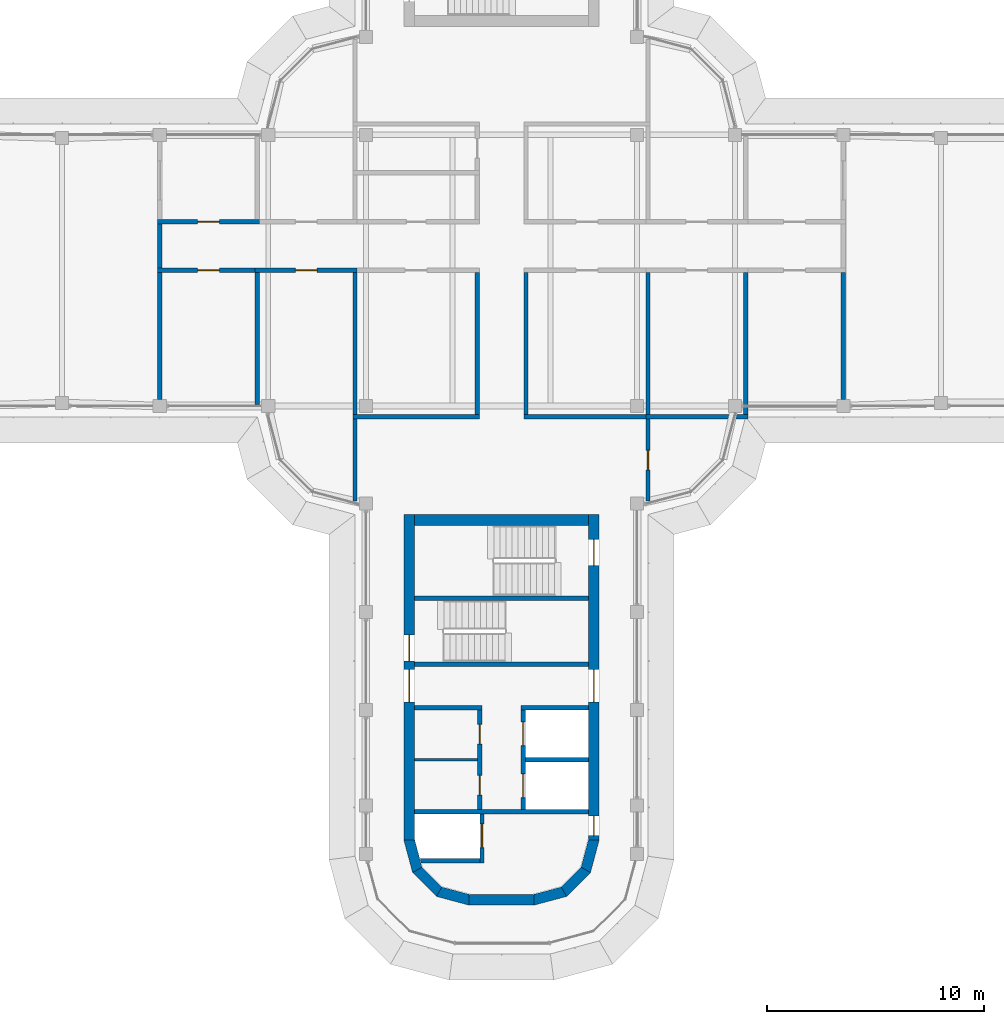
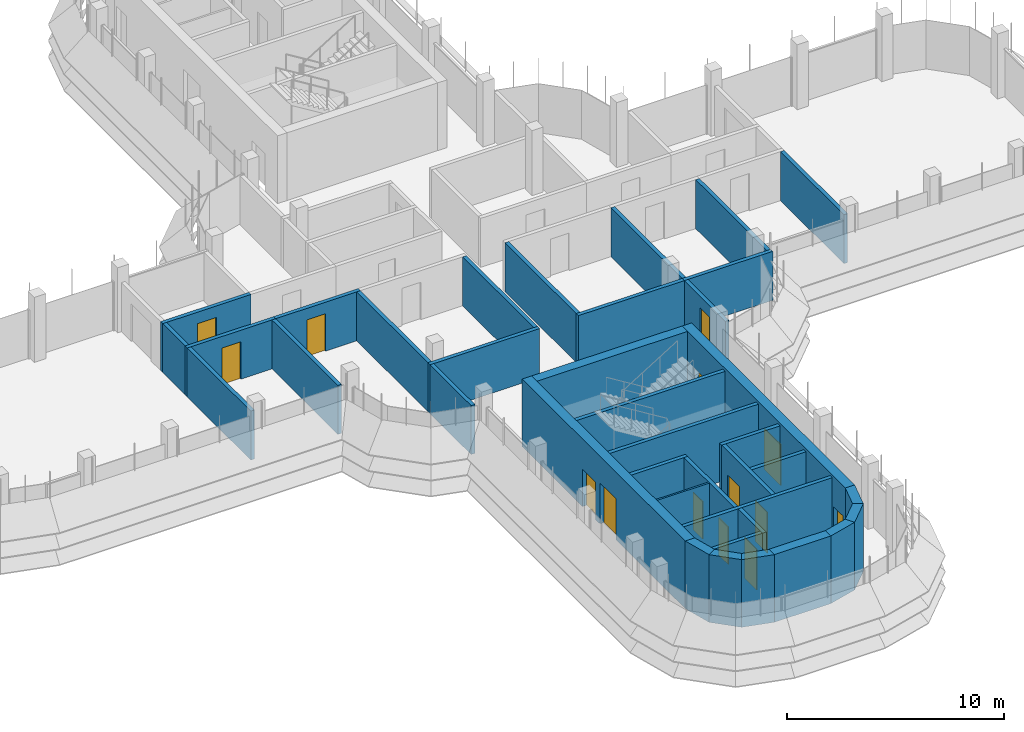
# One storey, part 13 of 19: 38 walls, 14 doors, 14 openings.
"""IFC4 building model written with IfcOpenShell, lengths in metres."""

from ifc_helpers import new_model, si_unit, direction, frame, frame_2d, origin, place, context, subcontext, project, spatial, polyline, rectangle, outline, extrude, material, layer, layer_set, type_object, element, fill, save


model = new_model("IFC4")

# Units and contexts
model_context = context("Model", 3, precision=1e-05, world=origin(), true_north=direction((0.0, 1.0)))
body_context = subcontext(model_context, "Body", "Model", "MODEL_VIEW")
ifc_project = project(units=[si_unit("LENGTHUNIT", "METRE"), si_unit("AREAUNIT", "SQUARE_METRE"), si_unit("VOLUMEUNIT", "CUBIC_METRE"), si_unit("PLANEANGLEUNIT", "RADIAN"), si_unit("MASSUNIT", "GRAM", prefix="KILO")], contexts=[model_context])

# Site, building, storey
site_placement = place(None, origin())
site = spatial("IfcSite", under=ifc_project, at=site_placement, CompositionType="ELEMENT")
building_placement = place(site_placement, origin())
building = spatial("IfcBuilding", under=site, at=building_placement, Name="Zarbagh Exchange Tower", CompositionType="ELEMENT")
storey_placement = place(building_placement, frame((0.0, 0.0, 253.60009765625)))
storey = spatial("IfcBuildingStorey", under=building, at=storey_placement, Name="L62", CompositionType="ELEMENT", Elevation=253.60009765625)

# Wall
ifc_material_1 = material(Name="Dense blockwork", Category="masonry")
ifc_layer_1 = layer(ifc_material_1, 0.10009765625)
ifc_layer_set_1 = layer_set([ifc_layer_1], Name="Core partition 100 mm blockwork")
wall_type_1 = type_object("IfcWallType", Name="Core partition 100 mm blockwork", PredefinedType="PARTITIONING", material=ifc_layer_set_1)
wall_1_placement = place(storey_placement, frame((-1.10009765625, -22.550048828125, 0.0), z_axis=(0.0, 0.0, 1.0), x_axis=(-1.0, 0.0, 0.0)))
element("IfcWall", 1, at=wall_1_placement, inside=storey, type_object=wall_type_1, Name="South core partition wall CUT-E-580", PredefinedType="PARTITIONING", context=body_context, shape_type="SweptSolid", body=[
    extrude(rectangle(XDim=2.89990234375, YDim=0.10009765625, at=frame_2d((1.449951171875, 0.0))), origin(), (0.0, 0.0, 1.0), 3.64990234375),
])

# Wall, opening, door
ifc_material_2 = material(Name="Fire-rated plasterboard partition")
ifc_layer_2 = layer(ifc_material_2, 0.199951171875)
ifc_layer_set_2 = layer_set([ifc_layer_2], Name="RATED PARTITION 200")
wall_type_2 = type_object("IfcWallType", Name="RATED PARTITION 200", PredefinedType="PARTITIONING", material=ifc_layer_set_2)
wall_2_placement = place(storey_placement, frame((-6.64990234375, 0.0, 0.0), z_axis=(0.0, 0.0, 1.0), x_axis=(-1.0, 0.0, 0.0)))
wall_2 = element("IfcWall", 2, at=wall_2_placement, inside=storey, type_object=wall_type_2, Name="Partition W-2708", PredefinedType="PARTITIONING", context=body_context, shape_type="SweptSolid", body=[
    extrude(rectangle(XDim=4.7001953125, YDim=0.199951171875, at=frame_2d((2.35009765625, 0.0))), origin(), (0.0, 0.0, 1.0), 2.75),
])
opening_1_placement = place(wall_2_placement, frame((1.85009765625, 0.0, 0.0)))
opening_1 = element("IfcOpeningElement", 3, at=opening_1_placement, cuts=wall_2, Name="Opening D-2713", PredefinedType="OPENING", context=body_context, shape_type="SweptSolid", body=[
    extrude(rectangle(XDim=1.0, YDim=2.10009765625, at=frame_2d((0.5, 1.050048828125))), frame((0.0, 0.10986328125, 0.0), z_axis=(0.0, -1.0, 0.0), x_axis=(1.0, 0.0, 0.0)), (0.0, 0.0, 1.0), 0.219970703125),
])
ifc_material_3 = material(Name="Steel door set", Category="steel")
door_type_1 = type_object("IfcDoorType", Name="FIRE DOOR 1000 X 2100 FD30S", OperationType="NOTDEFINED", PredefinedType="DOOR", material=ifc_material_3)
door_1_placement = place(opening_1_placement, origin())
door_1 = element("IfcDoor", 4, at=door_1_placement, inside=storey, type_object=door_type_1, Name="Door D-2713", OperationType="SINGLE_SWING_RIGHT", OverallHeight=2.10009765625, OverallWidth=1.0, PredefinedType="DOOR", context=body_context, shape_type="SweptSolid", body=[
    extrude(rectangle(XDim=1.0, YDim=2.10009765625, at=frame_2d((0.5, 1.050048828125))), frame((0.0, 0.02490234375, 0.0), z_axis=(0.0, -1.0, 0.0), x_axis=(1.0, 0.0, 0.0)), (0.0, 0.0, 1.0), 0.050048828125),
])
fill(opening_1, door_1)

wall_3_placement = place(storey_placement, frame((-15.85009765625, 2.25, 0.0), z_axis=(0.0, 0.0, 1.0), x_axis=(1.0, 0.0, 0.0)))
wall_3 = element("IfcWall", 5, at=wall_3_placement, inside=storey, type_object=wall_type_2, Name="Partition W-2712", PredefinedType="PARTITIONING", context=body_context, shape_type="SweptSolid", body=[
    extrude(rectangle(XDim=4.7001953125, YDim=0.199951171875, at=frame_2d((2.35009765625, 0.0))), origin(), (0.0, 0.0, 1.0), 2.75),
])
opening_2_placement = place(wall_3_placement, frame((1.85009765625, 0.0, 0.0)))
opening_2 = element("IfcOpeningElement", 6, at=opening_2_placement, cuts=wall_3, Name="Opening D-2715", PredefinedType="OPENING", context=body_context, shape_type="SweptSolid", body=[
    extrude(rectangle(XDim=1.0, YDim=2.10009765625, at=frame_2d((0.5, 1.050048828125))), frame((0.0, 0.10986328125, 0.0), z_axis=(0.0, -1.0, 0.0), x_axis=(1.0, 0.0, 0.0)), (0.0, 0.0, 1.0), 0.219970703125),
])
door_2_placement = place(opening_2_placement, origin())
door_2 = element("IfcDoor", 7, at=door_2_placement, inside=storey, type_object=door_type_1, Name="Door D-2715", OperationType="SINGLE_SWING_RIGHT", OverallHeight=2.10009765625, OverallWidth=1.0, PredefinedType="DOOR", context=body_context, shape_type="SweptSolid", body=[
    extrude(rectangle(XDim=1.0, YDim=2.10009765625, at=frame_2d((0.5, 1.050048828125))), frame((0.0, 0.02490234375, 0.0), z_axis=(0.0, -1.0, 0.0), x_axis=(1.0, 0.0, 0.0)), (0.0, 0.0, 1.0), 0.050048828125),
])
fill(opening_2, door_2)

wall_4_placement = place(storey_placement, frame((-11.14990234375, 0.0, 0.0), z_axis=(0.0, 0.0, 1.0), x_axis=(-1.0, 0.0, 0.0)))
wall_4 = element("IfcWall", 8, at=wall_4_placement, inside=storey, type_object=wall_type_2, Name="Partition W-2713", PredefinedType="PARTITIONING", context=body_context, shape_type="SweptSolid", body=[
    extrude(rectangle(XDim=4.7001953125, YDim=0.199951171875, at=frame_2d((2.35009765625, 0.0))), origin(), (0.0, 0.0, 1.0), 2.75),
])
opening_3_placement = place(wall_4_placement, frame((1.85009765625, 0.0, 0.0)))
opening_3 = element("IfcOpeningElement", 9, at=opening_3_placement, cuts=wall_4, Name="Opening D-2716", PredefinedType="OPENING", context=body_context, shape_type="SweptSolid", body=[
    extrude(rectangle(XDim=1.0, YDim=2.10009765625, at=frame_2d((0.5, 1.050048828125))), frame((0.0, 0.10986328125, 0.0), z_axis=(0.0, -1.0, 0.0), x_axis=(1.0, 0.0, 0.0)), (0.0, 0.0, 1.0), 0.219970703125),
])
door_3_placement = place(opening_3_placement, origin())
door_3 = element("IfcDoor", 10, at=door_3_placement, inside=storey, type_object=door_type_1, Name="Door D-2716", OperationType="SINGLE_SWING_RIGHT", OverallHeight=2.10009765625, OverallWidth=1.0, PredefinedType="DOOR", context=body_context, shape_type="SweptSolid", body=[
    extrude(rectangle(XDim=1.0, YDim=2.10009765625, at=frame_2d((0.5, 1.050048828125))), frame((0.0, 0.02490234375, 0.0), z_axis=(0.0, -1.0, 0.0), x_axis=(1.0, 0.0, 0.0)), (0.0, 0.0, 1.0), 0.050048828125),
])
fill(opening_3, door_3)

# Walls
wall_5_placement = place(storey_placement, frame((-15.75, 0.10009765625, 0.0), z_axis=(0.0, 0.0, 1.0), x_axis=(0.0, 1.0, 0.0)))
element("IfcWall", 11, at=wall_5_placement, inside=storey, type_object=wall_type_2, Name="Partition W-2714", PredefinedType="PARTITIONING", context=body_context, shape_type="SweptSolid", body=[
    extrude(rectangle(XDim=2.0498046875, YDim=0.199951171875, at=frame_2d((1.02490234375, 0.0))), origin(), (0.0, 0.0, 1.0), 2.75),
])
for number, where, z_axis, x_axis, name in (
    (12, (1.125, -6.64990234375, 0.0), (0.0, 0.0, 1.0), (0.0, 1.0, 0.0), "Partition W-2718"),
    (13, (-1.125, -6.64990234375, 0.0), (0.0, 0.0, 1.0), (0.0, 1.0, 0.0), "Partition W-2719"),
):
    element("IfcWall", number, at=place(storey_placement, frame(where, z_axis=z_axis, x_axis=x_axis)), inside=storey, type_object=wall_type_2, Name=name, PredefinedType="PARTITIONING", context=body_context, shape_type="SweptSolid", body=[
        extrude(rectangle(XDim=6.5498046875, YDim=0.199951171875, at=frame_2d((3.27490234375, 0.0))), origin(), (0.0, 0.0, 1.0), 2.75),
    ])
wall_6_placement = place(storey_placement, frame((1.02490234375, -6.75, 0.0), z_axis=(0.0, 0.0, 1.0), x_axis=(1.0, 0.0, 0.0)))
element("IfcWall", 14, at=wall_6_placement, inside=storey, type_object=wall_type_2, Name="Partition W-2724", PredefinedType="PARTITIONING", context=body_context, shape_type="SweptSolid", body=[
    extrude(rectangle(XDim=5.8251953125, YDim=0.199951171875, at=frame_2d((2.91259765625, 0.0))), origin(), (0.0, 0.0, 1.0), 2.75),
])

# Wall, opening, door
wall_7_placement = place(storey_placement, frame((6.75, -6.85009765625, 0.0), z_axis=(0.0, 0.0, 1.0), x_axis=(0.0, -1.0, 0.0)))
wall_7 = element("IfcWall", 15, at=wall_7_placement, inside=storey, type_object=wall_type_2, Name="Partition W-2725", PredefinedType="PARTITIONING", context=body_context, shape_type="SweptSolid", body=[
    extrude(rectangle(XDim=3.77978515625, YDim=0.199951171875, at=frame_2d((1.889892578125, 0.0))), origin(), (0.0, 0.0, 1.0), 2.75),
])
opening_4_placement = place(wall_7_placement, frame((1.43994140625, 0.0, 0.0)))
opening_4 = element("IfcOpeningElement", 16, at=opening_4_placement, cuts=wall_7, Name="Opening D-2711", PredefinedType="OPENING", context=body_context, shape_type="SweptSolid", body=[
    extrude(rectangle(XDim=0.89990234375, YDim=2.10009765625, at=frame_2d((0.449951171875, 1.050048828125))), frame((0.0, 0.10986328125, 0.0), z_axis=(0.0, -1.0, 0.0), x_axis=(1.0, 0.0, 0.0)), (0.0, 0.0, 1.0), 0.219970703125),
])
ifc_material_4 = material(Name="Timber door leaf", Category="wood")
door_type_2 = type_object("IfcDoorType", Name="DOOR 900 X 2100", OperationType="NOTDEFINED", PredefinedType="DOOR", material=ifc_material_4)
door_4_placement = place(opening_4_placement, origin())
door_4 = element("IfcDoor", 17, at=door_4_placement, inside=storey, type_object=door_type_2, Name="Door D-2711", OperationType="SINGLE_SWING_LEFT", OverallHeight=2.10009765625, OverallWidth=0.89990234375, PredefinedType="DOOR", context=body_context, shape_type="SweptSolid", body=[
    extrude(rectangle(XDim=0.89990234375, YDim=2.10009765625, at=frame_2d((0.449951171875, 1.050048828125))), frame((0.0, 0.02490234375, 0.0), z_axis=(0.0, -1.0, 0.0), x_axis=(1.0, 0.0, 0.0)), (0.0, 0.0, 1.0), 0.050048828125),
])
fill(opening_4, door_4)

# Walls
wall_8_placement = place(storey_placement, frame((-6.85009765625, -6.75, 0.0), z_axis=(0.0, 0.0, 1.0), x_axis=(1.0, 0.0, 0.0)))
element("IfcWall", 18, at=wall_8_placement, inside=storey, type_object=wall_type_2, Name="Partition W-2726", PredefinedType="PARTITIONING", context=body_context, shape_type="SweptSolid", body=[
    extrude(rectangle(XDim=5.8251953125, YDim=0.199951171875, at=frame_2d((2.91259765625, 0.0))), origin(), (0.0, 0.0, 1.0), 2.75),
])
wall_9_placement = place(storey_placement, frame((-6.75, -10.6298828125, 0.0), z_axis=(0.0, 0.0, 1.0), x_axis=(0.0, 1.0, 0.0)))
element("IfcWall", 19, at=wall_9_placement, inside=storey, type_object=wall_type_2, Name="Partition W-2727", PredefinedType="PARTITIONING", context=body_context, shape_type="SweptSolid", body=[
    extrude(rectangle(XDim=3.77978515625, YDim=0.199951171875, at=frame_2d((1.889892578125, 0.0))), origin(), (0.0, 0.0, 1.0), 2.75),
])
wall_10_placement = place(storey_placement, frame((6.75, -6.64990234375, 0.0), z_axis=(0.0, 0.0, 1.0), x_axis=(0.0, 1.0, 0.0)))
element("IfcWall", 20, at=wall_10_placement, inside=storey, type_object=wall_type_2, Name="Partition W-2734", PredefinedType="PARTITIONING", context=body_context, shape_type="SweptSolid", body=[
    extrude(rectangle(XDim=6.5498046875, YDim=0.199951171875, at=frame_2d((3.27490234375, 0.0))), origin(), (0.0, 0.0, 1.0), 2.75),
])
wall_11_placement = place(storey_placement, frame((6.64990234375, -6.75, 0.0), z_axis=(0.0, 0.0, 1.0), x_axis=(1.0, 0.0, 0.0)))
element("IfcWall", 21, at=wall_11_placement, inside=storey, type_object=wall_type_2, Name="Partition W-2735", PredefinedType="PARTITIONING", context=body_context, shape_type="SweptSolid", body=[
    extrude(rectangle(XDim=4.7001953125, YDim=0.199951171875, at=frame_2d((2.35009765625, 0.0))), origin(), (0.0, 0.0, 1.0), 2.75),
])
for number, where, z_axis, x_axis, name in (
    (22, (11.25, -6.64990234375, 0.0), (0.0, 0.0, 1.0), (0.0, 1.0, 0.0), "Partition W-2736"),
    (23, (-6.75, -6.64990234375, 0.0), (0.0, 0.0, 1.0), (0.0, 1.0, 0.0), "Partition W-2737"),
):
    element("IfcWall", number, at=place(storey_placement, frame(where, z_axis=z_axis, x_axis=x_axis)), inside=storey, type_object=wall_type_2, Name=name, PredefinedType="PARTITIONING", context=body_context, shape_type="SweptSolid", body=[
        extrude(rectangle(XDim=6.5498046875, YDim=0.199951171875, at=frame_2d((3.27490234375, 0.0))), origin(), (0.0, 0.0, 1.0), 2.75),
    ])
wall_12_placement = place(storey_placement, frame((-11.25, -6.169921875, 0.0), z_axis=(0.0, 0.0, 1.0), x_axis=(0.0, 1.0, 0.0)))
element("IfcWall", 24, at=wall_12_placement, inside=storey, type_object=wall_type_2, Name="Partition W-2738", PredefinedType="PARTITIONING", context=body_context, shape_type="SweptSolid", body=[
    extrude(rectangle(XDim=6.06982421875, YDim=0.199951171875, at=frame_2d((3.034912109375, 0.0))), origin(), (0.0, 0.0, 1.0), 2.75),
])
for number, where, z_axis, x_axis, name in (
    (25, (15.75, -5.949951171875, 0.0), (0.0, 0.0, 1.0), (0.0, 1.0, 0.0), "Partition W-2740"),
    (26, (-15.75, -5.949951171875, 0.0), (0.0, 0.0, 1.0), (0.0, 1.0, 0.0), "Partition W-2742"),
):
    element("IfcWall", number, at=place(storey_placement, frame(where, z_axis=z_axis, x_axis=x_axis)), inside=storey, type_object=wall_type_2, Name=name, PredefinedType="PARTITIONING", context=body_context, shape_type="SweptSolid", body=[
        extrude(rectangle(XDim=5.849853515625, YDim=0.199951171875, at=frame_2d((2.9248046875, 0.0))), origin(), (0.0, 0.0, 1.0), 2.75),
    ])
ifc_material_5 = material(Name="Concrete C40/50", Category="concrete")
ifc_layer_3 = layer(ifc_material_5, 0.5)
ifc_layer_set_3 = layer_set([ifc_layer_3], Name="RC core corner wall 500 C40/50")
wall_type_3 = type_object("IfcWallType", Name="RC core corner wall 500 C40/50", PredefinedType="SHEAR", material=ifc_layer_set_3)
wall_13_placement = place(storey_placement, origin())
element("IfcWall", 27, at=wall_13_placement, inside=storey, type_object=wall_type_3, Name="CW10 core S corner W", PredefinedType="SHEAR", context=body_context, shape_type="SweptSolid", body=[
    extrude(outline(polyline([(-4.5, -26.25), (-4.09814453125, -27.75), (-3.6650390625, -27.5), (-4.0, -26.25), (-4.5, -26.25)])), origin(), (0.0, 0.0, 1.0), 3.7998046875),
])
wall_14_placement = place(storey_placement, origin())
element("IfcWall", 28, at=wall_14_placement, inside=storey, type_object=wall_type_3, Name="CW10 core S corner W", PredefinedType="SHEAR", context=body_context, shape_type="SweptSolid", body=[
    extrude(outline(polyline([(-4.09814453125, -27.75), (-3.0, -28.84814453125), (-2.75, -28.4150390625), (-3.6650390625, -27.5), (-4.09814453125, -27.75)])), origin(), (0.0, 0.0, 1.0), 3.7998046875),
])
wall_15_placement = place(storey_placement, origin())
element("IfcWall", 29, at=wall_15_placement, inside=storey, type_object=wall_type_3, Name="CW10 core S corner W", PredefinedType="SHEAR", context=body_context, shape_type="SweptSolid", body=[
    extrude(outline(polyline([(-3.0, -28.84814453125), (-1.5, -29.25), (-1.5, -28.75), (-2.75, -28.4150390625), (-3.0, -28.84814453125)])), origin(), (0.0, 0.0, 1.0), 3.7998046875),
])
wall_16_placement = place(storey_placement, origin())
element("IfcWall", 30, at=wall_16_placement, inside=storey, type_object=wall_type_3, Name="CW10 core S corner E", PredefinedType="SHEAR", context=body_context, shape_type="SweptSolid", body=[
    extrude(outline(polyline([(4.5, -26.25), (4.09814453125, -27.75), (3.6650390625, -27.5), (4.0, -26.25), (4.5, -26.25)])), origin(), (0.0, 0.0, 1.0), 3.7998046875),
])
wall_17_placement = place(storey_placement, origin())
element("IfcWall", 31, at=wall_17_placement, inside=storey, type_object=wall_type_3, Name="CW10 core S corner E", PredefinedType="SHEAR", context=body_context, shape_type="SweptSolid", body=[
    extrude(outline(polyline([(4.09814453125, -27.75), (3.0, -28.84814453125), (2.75, -28.4150390625), (3.6650390625, -27.5), (4.09814453125, -27.75)])), origin(), (0.0, 0.0, 1.0), 3.7998046875),
])
wall_18_placement = place(storey_placement, origin())
element("IfcWall", 32, at=wall_18_placement, inside=storey, type_object=wall_type_3, Name="CW10 core S corner E", PredefinedType="SHEAR", context=body_context, shape_type="SweptSolid", body=[
    extrude(outline(polyline([(3.0, -28.84814453125), (1.5, -29.25), (1.5, -28.75), (2.75, -28.4150390625), (3.0, -28.84814453125)])), origin(), (0.0, 0.0, 1.0), 3.7998046875),
])

# Wall, openings, doors
ifc_layer_4 = layer(ifc_material_5, 0.5)
ifc_layer_set_4 = layer_set([ifc_layer_4], Name="RC core wall 500 C40/50")
wall_type_4 = type_object("IfcWallType", Name="RC core wall 500 C40/50", PredefinedType="SHEAR", material=ifc_layer_set_4)
wall_19_placement = place(storey_placement, frame((-4.25, -11.25, 0.0), z_axis=(0.0, 0.0, 1.0), x_axis=(0.0, -1.0, 0.0)))
wall_19 = element("IfcWall", 33, at=wall_19_placement, inside=storey, type_object=wall_type_4, Name="CW9 core S W", PredefinedType="SHEAR", context=body_context, shape_type="SweptSolid", body=[
    extrude(rectangle(XDim=15.0, YDim=0.5, at=frame_2d((7.5, 0.0))), origin(), (0.0, 0.0, 1.0), 3.7998046875),
])
opening_5_placement = place(wall_19_placement, frame((7.14990234375, 0.0, 0.0)))
opening_5 = element("IfcOpeningElement", 34, at=opening_5_placement, cuts=wall_19, Name="Opening CD1-1500", PredefinedType="OPENING", context=body_context, shape_type="SweptSolid", body=[
    extrude(rectangle(XDim=1.5, YDim=2.300048828125, at=frame_2d((0.75, 1.14990234375))), frame((0.0, 0.260009765625, 0.0), z_axis=(0.0, -1.0, 0.0), x_axis=(1.0, 0.0, 0.0)), (0.0, 0.0, 1.0), 0.52001953125),
])
opening_6_placement = place(wall_19_placement, frame((5.550048828125, 0.0, 0.0)))
opening_6 = element("IfcOpeningElement", 35, at=opening_6_placement, cuts=wall_19, Name="Opening SD1-1200", PredefinedType="OPENING", context=body_context, shape_type="SweptSolid", body=[
    extrude(rectangle(XDim=1.199951171875, YDim=2.10009765625, at=frame_2d((0.60009765625, 1.050048828125))), frame((0.0, 0.260009765625, 0.0), z_axis=(0.0, -1.0, 0.0), x_axis=(1.0, 0.0, 0.0)), (0.0, 0.0, 1.0), 0.52001953125),
])
ifc_material_6 = material(Name="Steel", Category="steel")
door_type_3 = type_object("IfcDoorType", Name="Exit stair door 1200 x 2100", OperationType="NOTDEFINED", PredefinedType="DOOR", material=ifc_material_6)
door_5_placement = place(opening_6_placement, origin())
door_5 = element("IfcDoor", 36, at=door_5_placement, inside=storey, type_object=door_type_3, Name="South core stair door ST1", OperationType="SINGLE_SWING_LEFT", OverallHeight=2.10009765625, OverallWidth=1.199951171875, PredefinedType="DOOR", context=body_context, shape_type="SweptSolid", body=[
    extrude(rectangle(XDim=1.199951171875, YDim=2.10009765625, at=frame_2d((0.60009765625, 1.050048828125))), frame((0.0, 0.02490234375, 0.0), z_axis=(0.0, -1.0, 0.0), x_axis=(1.0, 0.0, 0.0)), (0.0, 0.0, 1.0), 0.050048828125),
])
fill(opening_6, door_5)
door_type_4 = type_object("IfcDoorType", Name="Lift lobby double door 1500 x 2300", OperationType="NOTDEFINED", PredefinedType="DOOR", material=ifc_material_6)
door_6_placement = place(opening_5_placement, origin())
door_6 = element("IfcDoor", 37, at=door_6_placement, inside=storey, type_object=door_type_4, Name="South core lift lobby door LOBBY-E", OperationType="DOUBLE_DOOR_SINGLE_SWING", OverallHeight=2.300048828125, OverallWidth=1.5, PredefinedType="DOOR", context=body_context, shape_type="SweptSolid", body=[
    extrude(rectangle(XDim=1.5, YDim=2.300048828125, at=frame_2d((0.75, 1.14990234375))), frame((0.0, 0.02490234375, 0.0), z_axis=(0.0, -1.0, 0.0), x_axis=(1.0, 0.0, 0.0)), (0.0, 0.0, 1.0), 0.050048828125),
])
fill(opening_5, door_6)

wall_20_placement = place(storey_placement, frame((4.25, -11.25, 0.0), z_axis=(0.0, 0.0, 1.0), x_axis=(0.0, -1.0, 0.0)))
wall_20 = element("IfcWall", 38, at=wall_20_placement, inside=storey, type_object=wall_type_4, Name="CW9 core S E", PredefinedType="SHEAR", context=body_context, shape_type="SweptSolid", body=[
    extrude(rectangle(XDim=15.0, YDim=0.5, at=frame_2d((7.5, 0.0))), origin(), (0.0, 0.0, 1.0), 3.7998046875),
])
opening_7_placement = place(wall_20_placement, frame((7.14990234375, 0.0, 0.0)))
opening_7 = element("IfcOpeningElement", 39, at=opening_7_placement, cuts=wall_20, Name="Opening CD1-1500", PredefinedType="OPENING", context=body_context, shape_type="SweptSolid", body=[
    extrude(rectangle(XDim=1.5, YDim=2.300048828125, at=frame_2d((0.75, 1.14990234375))), frame((0.0, 0.260009765625, 0.0), z_axis=(0.0, -1.0, 0.0), x_axis=(1.0, 0.0, 0.0)), (0.0, 0.0, 1.0), 0.52001953125),
])
opening_8_placement = place(wall_20_placement, frame((13.89990234375, 0.0, 0.0)))
opening_8 = element("IfcOpeningElement", 40, at=opening_8_placement, cuts=wall_20, Name="Opening CD2-900", PredefinedType="OPENING", context=body_context, shape_type="SweptSolid", body=[
    extrude(rectangle(XDim=0.89990234375, YDim=2.10009765625, at=frame_2d((0.449951171875, 1.050048828125))), frame((0.0, 0.260009765625, 0.0), z_axis=(0.0, -1.0, 0.0), x_axis=(1.0, 0.0, 0.0)), (0.0, 0.0, 1.0), 0.52001953125),
])
opening_9_placement = place(wall_20_placement, frame((1.14990234375, 0.0, 0.0)))
opening_9 = element("IfcOpeningElement", 41, at=opening_9_placement, cuts=wall_20, Name="Opening SD1-1200", PredefinedType="OPENING", context=body_context, shape_type="SweptSolid", body=[
    extrude(rectangle(XDim=1.199951171875, YDim=2.10009765625, at=frame_2d((0.60009765625, 1.050048828125))), frame((0.0, 0.260009765625, 0.0), z_axis=(0.0, -1.0, 0.0), x_axis=(1.0, 0.0, 0.0)), (0.0, 0.0, 1.0), 0.52001953125),
])
door_7_placement = place(opening_9_placement, origin())
door_7 = element("IfcDoor", 42, at=door_7_placement, inside=storey, type_object=door_type_3, Name="South core stair door ST2", OperationType="SINGLE_SWING_RIGHT", OverallHeight=2.10009765625, OverallWidth=1.199951171875, PredefinedType="DOOR", context=body_context, shape_type="SweptSolid", body=[
    extrude(rectangle(XDim=1.199951171875, YDim=2.10009765625, at=frame_2d((0.60009765625, 1.050048828125))), frame((0.0, 0.02490234375, 0.0), z_axis=(0.0, -1.0, 0.0), x_axis=(1.0, 0.0, 0.0)), (0.0, 0.0, 1.0), 0.050048828125),
])
fill(opening_9, door_7)
door_type_5 = type_object("IfcDoorType", Name="Firefighting lobby door 900 x 2100", OperationType="NOTDEFINED", PredefinedType="DOOR", material=ifc_material_6)
door_8_placement = place(opening_8_placement, origin())
door_8 = element("IfcDoor", 43, at=door_8_placement, inside=storey, type_object=door_type_5, Name="South core firefighting lobby door FF-W", OperationType="SINGLE_SWING_LEFT", OverallHeight=2.10009765625, OverallWidth=0.89990234375, PredefinedType="DOOR", context=body_context, shape_type="SweptSolid", body=[
    extrude(rectangle(XDim=0.89990234375, YDim=2.10009765625, at=frame_2d((0.449951171875, 1.050048828125))), frame((0.0, 0.02490234375, 0.0), z_axis=(0.0, -1.0, 0.0), x_axis=(1.0, 0.0, 0.0)), (0.0, 0.0, 1.0), 0.050048828125),
])
fill(opening_8, door_8)
door_9_placement = place(opening_7_placement, origin())
door_9 = element("IfcDoor", 44, at=door_9_placement, inside=storey, type_object=door_type_4, Name="South core lift lobby door LOBBY-W", OperationType="DOUBLE_DOOR_SINGLE_SWING", OverallHeight=2.300048828125, OverallWidth=1.5, PredefinedType="DOOR", context=body_context, shape_type="SweptSolid", body=[
    extrude(rectangle(XDim=1.5, YDim=2.300048828125, at=frame_2d((0.75, 1.14990234375))), frame((0.0, 0.02490234375, 0.0), z_axis=(0.0, -1.0, 0.0), x_axis=(1.0, 0.0, 0.0)), (0.0, 0.0, 1.0), 0.050048828125),
])
fill(opening_7, door_9)

# Walls
wall_21_placement = place(storey_placement, frame((-4.0, -11.5, 0.0), z_axis=(0.0, 0.0, 1.0), x_axis=(1.0, 0.0, 0.0)))
element("IfcWall", 45, at=wall_21_placement, inside=storey, type_object=wall_type_4, Name="CW9 core S inner end", PredefinedType="SHEAR", context=body_context, shape_type="SweptSolid", body=[
    extrude(rectangle(XDim=8.0, YDim=0.5, at=frame_2d((4.0, 0.0))), origin(), (0.0, 0.0, 1.0), 3.7998046875),
])
wall_22_placement = place(storey_placement, frame((-1.5, -29.0, 0.0), z_axis=(0.0, 0.0, 1.0), x_axis=(1.0, 0.0, 0.0)))
element("IfcWall", 46, at=wall_22_placement, inside=storey, type_object=wall_type_4, Name="CW9 core S outer end", PredefinedType="SHEAR", context=body_context, shape_type="SweptSolid", body=[
    extrude(rectangle(XDim=3.0, YDim=0.5, at=frame_2d((1.5, 0.0))), origin(), (0.0, 0.0, 1.0), 3.7998046875),
])
ifc_layer_5 = layer(ifc_material_1, 0.199951171875)
ifc_layer_set_5 = layer_set([ifc_layer_5], Name="Shaft wall 200 mm blockwork")
wall_type_5 = type_object("IfcWallType", Name="Shaft wall 200 mm blockwork", PredefinedType="PARTITIONING", material=ifc_layer_set_5)
wall_23_placement = place(storey_placement, frame((4.0, -20.14990234375, 0.0), z_axis=(0.0, 0.0, 1.0), x_axis=(-1.0, 0.0, 0.0)))
element("IfcWall", 47, at=wall_23_placement, inside=storey, type_object=wall_type_5, Name="South core shaft wall AB-W", PredefinedType="PARTITIONING", context=body_context, shape_type="SweptSolid", body=[
    extrude(rectangle(XDim=3.10009765625, YDim=0.199951171875, at=frame_2d((1.550048828125, 0.0))), origin(), (0.0, 0.0, 1.0), 3.64990234375),
])

# Wall, openings, doors
wall_24_placement = place(storey_placement, frame((1.0, -24.85009765625, 0.0), z_axis=(0.0, 0.0, 1.0), x_axis=(0.0, 1.0, 0.0)))
wall_24 = element("IfcWall", 48, at=wall_24_placement, inside=storey, type_object=wall_type_5, Name="South core shaft wall LW-W", PredefinedType="PARTITIONING", context=body_context, shape_type="SweptSolid", body=[
    extrude(rectangle(XDim=4.60009765625, YDim=0.199951171875, at=frame_2d((2.300048828125, 0.0))), origin(), (0.0, 0.0, 1.0), 3.64990234375),
])
opening_10_placement = place(wall_24_placement, frame((0.550048828125, 0.0, 0.0)))
opening_10 = element("IfcOpeningElement", 49, at=opening_10_placement, cuts=wall_24, Name="Opening LD-1100", PredefinedType="OPENING", context=body_context, shape_type="SweptSolid", body=[
    extrude(rectangle(XDim=1.10009765625, YDim=2.300048828125, at=frame_2d((0.550048828125, 1.14990234375))), frame((0.0, 0.10986328125, 0.0), z_axis=(0.0, -1.0, 0.0), x_axis=(1.0, 0.0, 0.0)), (0.0, 0.0, 1.0), 0.219970703125),
])
opening_11_placement = place(wall_24_placement, frame((2.949951171875, 0.0, 0.0)))
opening_11 = element("IfcOpeningElement", 50, at=opening_11_placement, cuts=wall_24, Name="Opening LD-1100", PredefinedType="OPENING", context=body_context, shape_type="SweptSolid", body=[
    extrude(rectangle(XDim=1.10009765625, YDim=2.300048828125, at=frame_2d((0.550048828125, 1.14990234375))), frame((0.0, 0.10986328125, 0.0), z_axis=(0.0, -1.0, 0.0), x_axis=(1.0, 0.0, 0.0)), (0.0, 0.0, 1.0), 0.219970703125),
])
ifc_material_7 = material(Name="Stainless steel", Category="steel")
door_type_6 = type_object("IfcDoorType", Name="Lift landing door 1100 x 2300", OperationType="NOTDEFINED", PredefinedType="DOOR", material=ifc_material_7)
door_10_placement = place(opening_10_placement, origin())
door_10 = element("IfcDoor", 51, at=door_10_placement, inside=storey, type_object=door_type_6, Name="South core lift landing door LD-P-S1", OperationType="DOUBLE_DOOR_SLIDING", OverallHeight=2.300048828125, OverallWidth=1.10009765625, PredefinedType="DOOR", context=body_context, shape_type="SweptSolid", body=[
    extrude(rectangle(XDim=1.10009765625, YDim=2.300048828125, at=frame_2d((0.550048828125, 1.14990234375))), frame((0.0, 0.02490234375, 0.0), z_axis=(0.0, -1.0, 0.0), x_axis=(1.0, 0.0, 0.0)), (0.0, 0.0, 1.0), 0.050048828125),
])
fill(opening_10, door_10)
door_11_placement = place(opening_11_placement, origin())
door_11 = element("IfcDoor", 52, at=door_11_placement, inside=storey, type_object=door_type_6, Name="South core lift landing door LD-P-S2", OperationType="DOUBLE_DOOR_SLIDING", OverallHeight=2.300048828125, OverallWidth=1.10009765625, PredefinedType="DOOR", context=body_context, shape_type="SweptSolid", body=[
    extrude(rectangle(XDim=1.10009765625, YDim=2.300048828125, at=frame_2d((0.550048828125, 1.14990234375))), frame((0.0, 0.02490234375, 0.0), z_axis=(0.0, -1.0, 0.0), x_axis=(1.0, 0.0, 0.0)), (0.0, 0.0, 1.0), 0.050048828125),
])
fill(opening_11, door_11)

# Wall
wall_25_placement = place(storey_placement, frame((-0.89990234375, -20.14990234375, 0.0), z_axis=(0.0, 0.0, 1.0), x_axis=(-1.0, 0.0, 0.0)))
element("IfcWall", 53, at=wall_25_placement, inside=storey, type_object=wall_type_5, Name="South core shaft wall AB-E", PredefinedType="PARTITIONING", context=body_context, shape_type="SweptSolid", body=[
    extrude(rectangle(XDim=3.10009765625, YDim=0.199951171875, at=frame_2d((1.550048828125, 0.0))), origin(), (0.0, 0.0, 1.0), 3.64990234375),
])

# Wall, openings, doors
wall_26_placement = place(storey_placement, frame((-1.0, -24.85009765625, 0.0), z_axis=(0.0, 0.0, 1.0), x_axis=(0.0, 1.0, 0.0)))
wall_26 = element("IfcWall", 54, at=wall_26_placement, inside=storey, type_object=wall_type_5, Name="South core shaft wall LW-E", PredefinedType="PARTITIONING", context=body_context, shape_type="SweptSolid", body=[
    extrude(rectangle(XDim=4.60009765625, YDim=0.199951171875, at=frame_2d((2.300048828125, 0.0))), origin(), (0.0, 0.0, 1.0), 3.64990234375),
])
opening_12_placement = place(wall_26_placement, frame((0.675048828125, 0.0, 0.0)))
opening_12 = element("IfcOpeningElement", 55, at=opening_12_placement, cuts=wall_26, Name="Opening CD3-900", PredefinedType="OPENING", context=body_context, shape_type="SweptSolid", body=[
    extrude(rectangle(XDim=0.89990234375, YDim=2.10009765625, at=frame_2d((0.449951171875, 1.050048828125))), frame((0.0, 0.10986328125, 0.0), z_axis=(0.0, -1.0, 0.0), x_axis=(1.0, 0.0, 0.0)), (0.0, 0.0, 1.0), 0.219970703125),
])
opening_13_placement = place(wall_26_placement, frame((3.02490234375, 0.0, 0.0)))
opening_13 = element("IfcOpeningElement", 56, at=opening_13_placement, cuts=wall_26, Name="Opening CD3-900", PredefinedType="OPENING", context=body_context, shape_type="SweptSolid", body=[
    extrude(rectangle(XDim=0.89990234375, YDim=2.10009765625, at=frame_2d((0.449951171875, 1.050048828125))), frame((0.0, 0.10986328125, 0.0), z_axis=(0.0, -1.0, 0.0), x_axis=(1.0, 0.0, 0.0)), (0.0, 0.0, 1.0), 0.219970703125),
])
door_type_7 = type_object("IfcDoorType", Name="Core room door 900 x 2100", OperationType="NOTDEFINED", PredefinedType="DOOR", material=ifc_material_6)
door_12_placement = place(opening_12_placement, origin())
door_12 = element("IfcDoor", 57, at=door_12_placement, inside=storey, type_object=door_type_7, Name="South core Staff WC door RD-E-0", OperationType="SINGLE_SWING_LEFT", OverallHeight=2.10009765625, OverallWidth=0.89990234375, PredefinedType="DOOR", context=body_context, shape_type="SweptSolid", body=[
    extrude(rectangle(XDim=0.89990234375, YDim=2.10009765625, at=frame_2d((0.449951171875, 1.050048828125))), frame((0.0, 0.02490234375, 0.0), z_axis=(0.0, -1.0, 0.0), x_axis=(1.0, 0.0, 0.0)), (0.0, 0.0, 1.0), 0.050048828125),
])
fill(opening_12, door_12)
door_13_placement = place(opening_13_placement, origin())
door_13 = element("IfcDoor", 58, at=door_13_placement, inside=storey, type_object=door_type_7, Name="South core Accessible WC door RD-E-1", OperationType="SINGLE_SWING_LEFT", OverallHeight=2.10009765625, OverallWidth=0.89990234375, PredefinedType="DOOR", context=body_context, shape_type="SweptSolid", body=[
    extrude(rectangle(XDim=0.89990234375, YDim=2.10009765625, at=frame_2d((0.449951171875, 1.050048828125))), frame((0.0, 0.02490234375, 0.0), z_axis=(0.0, -1.0, 0.0), x_axis=(1.0, 0.0, 0.0)), (0.0, 0.0, 1.0), 0.050048828125),
])
fill(opening_13, door_13)

# Walls
wall_27_placement = place(storey_placement, frame((4.0, -22.550048828125, 0.0), z_axis=(0.0, 0.0, 1.0), x_axis=(-1.0, 0.0, 0.0)))
element("IfcWall", 59, at=wall_27_placement, inside=storey, type_object=wall_type_5, Name="South core shaft wall TR-W", PredefinedType="PARTITIONING", context=body_context, shape_type="SweptSolid", body=[
    extrude(rectangle(XDim=2.89990234375, YDim=0.199951171875, at=frame_2d((1.449951171875, 0.0))), origin(), (0.0, 0.0, 1.0), 3.64990234375),
])
ifc_layer_6 = layer(ifc_material_5, 0.199951171875)
ifc_layer_set_6 = layer_set([ifc_layer_6], Name="Stair enclosure wall 200 mm RC C40/50")
wall_type_6 = type_object("IfcWallType", Name="Stair enclosure wall 200 mm RC C40/50", PredefinedType="SHEAR", material=ifc_layer_set_6)
wall_28_placement = place(storey_placement, frame((4.0, -24.949951171875, 0.0), z_axis=(0.0, 0.0, 1.0), x_axis=(-1.0, 0.0, 0.0)))
element("IfcWall", 60, at=wall_28_placement, inside=storey, type_object=wall_type_6, Name="South core lift shaft wall FFA", PredefinedType="SHEAR", context=body_context, shape_type="SweptSolid", body=[
    extrude(rectangle(XDim=8.0, YDim=0.199951171875, at=frame_2d((4.0, 0.0))), origin(), (0.0, 0.0, 1.0), 3.64990234375),
])

# Wall, opening, door
wall_29_placement = place(storey_placement, frame((-0.89990234375, -27.300048828125, 0.0), z_axis=(0.0, 0.0, 1.0), x_axis=(0.0, 1.0, 0.0)))
wall_29 = element("IfcWall", 61, at=wall_29_placement, inside=storey, type_object=wall_type_6, Name="South core lift shaft wall FFL", PredefinedType="SHEAR", context=body_context, shape_type="SweptSolid", body=[
    extrude(rectangle(XDim=2.25, YDim=0.199951171875, at=frame_2d((1.125, 0.0))), origin(), (0.0, 0.0, 1.0), 3.64990234375),
])
opening_14_placement = place(wall_29_placement, frame((0.699951171875, 0.0, 0.0)))
opening_14 = element("IfcOpeningElement", 62, at=opening_14_placement, cuts=wall_29, Name="Opening LD-1100", PredefinedType="OPENING", context=body_context, shape_type="SweptSolid", body=[
    extrude(rectangle(XDim=1.10009765625, YDim=2.300048828125, at=frame_2d((0.550048828125, 1.14990234375))), frame((0.0, 0.10986328125, 0.0), z_axis=(0.0, -1.0, 0.0), x_axis=(1.0, 0.0, 0.0)), (0.0, 0.0, 1.0), 0.219970703125),
])
door_14_placement = place(opening_14_placement, origin())
door_14 = element("IfcDoor", 63, at=door_14_placement, inside=storey, type_object=door_type_6, Name="South core lift landing door LD-F", OperationType="DOUBLE_DOOR_SLIDING", OverallHeight=2.300048828125, OverallWidth=1.10009765625, PredefinedType="DOOR", context=body_context, shape_type="SweptSolid", body=[
    extrude(rectangle(XDim=1.10009765625, YDim=2.300048828125, at=frame_2d((0.550048828125, 1.14990234375))), frame((0.0, 0.02490234375, 0.0), z_axis=(0.0, -1.0, 0.0), x_axis=(1.0, 0.0, 0.0)), (0.0, 0.0, 1.0), 0.050048828125),
])
fill(opening_14, door_14)

# Walls
wall_30_placement = place(storey_placement, origin())
element("IfcWall", 64, at=wall_30_placement, inside=storey, type_object=wall_type_6, Name="South core lift shaft wall FFX", PredefinedType="SHEAR", context=body_context, shape_type="SweptSolid", body=[
    extrude(outline(polyline([(-1.0, -27.10009765625), (-3.754638671875, -27.10009765625), (-3.700927734375, -27.300048828125), (-1.0, -27.300048828125), (-1.0, -27.10009765625)])), origin(), (0.0, 0.0, 1.0), 3.64990234375),
])
for number, where, z_axis, x_axis, name in (
    (65, (4.0, -18.14990234375, 0.0), (0.0, 0.0, 1.0), (-1.0, 0.0, 0.0), "South core stair wall BS"),
    (66, (4.0, -15.10009765625, 0.0), (0.0, 0.0, 1.0), (-1.0, 0.0, 0.0), "South core stair wall ST12"),
):
    element("IfcWall", number, at=place(storey_placement, frame(where, z_axis=z_axis, x_axis=x_axis)), inside=storey, type_object=wall_type_6, Name=name, PredefinedType="SHEAR", context=body_context, shape_type="SweptSolid", body=[
        extrude(rectangle(XDim=8.0, YDim=0.199951171875, at=frame_2d((4.0, 0.0))), origin(), (0.0, 0.0, 1.0), 3.64990234375),
    ])

save(model, "model.ifc")
